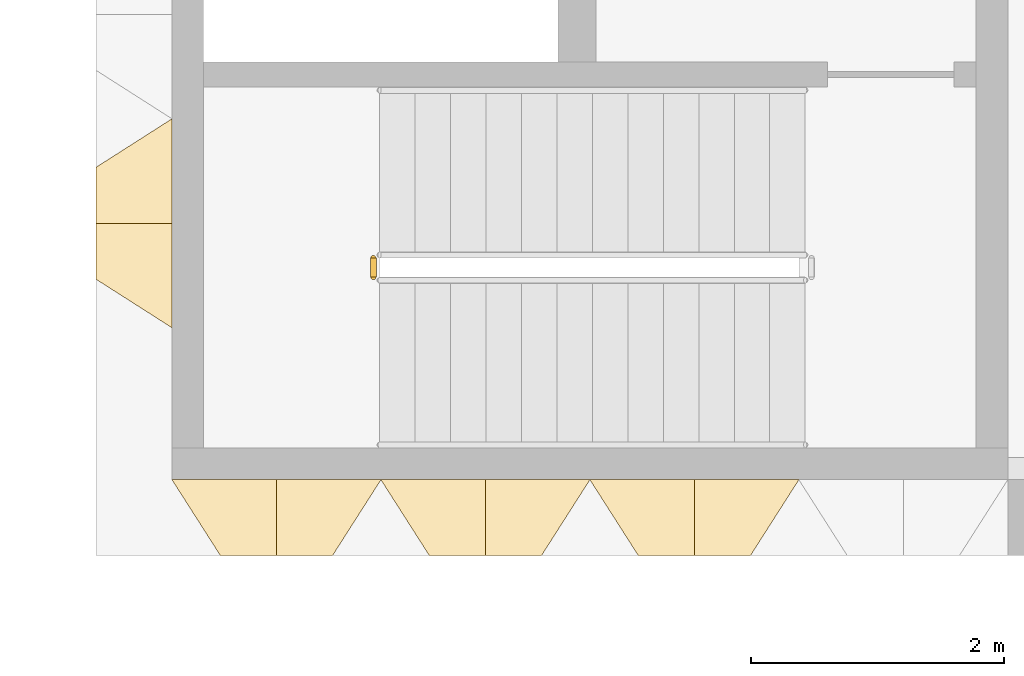
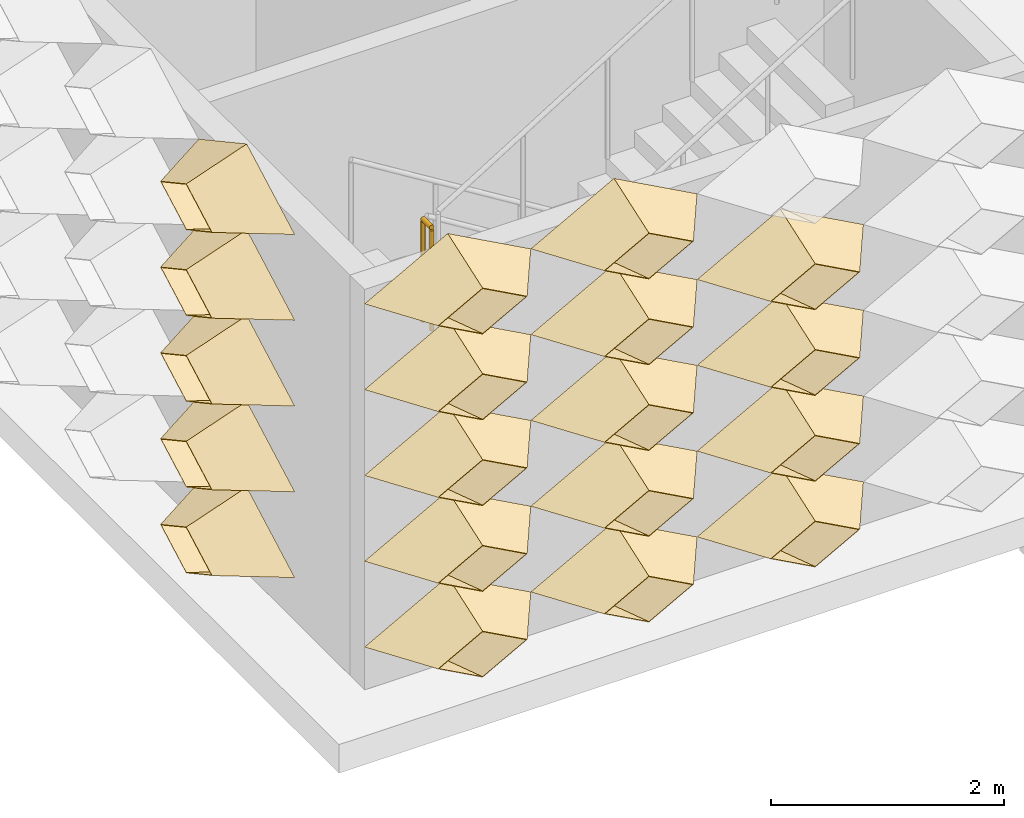
# One storey, part 12 of 29: 19 coverings, 1 railing.
"""IFC4 building model written with IfcOpenShell, lengths in metres."""

from ifc_helpers import new_model, entity, si_unit, direction, frame, origin, origin_2d, place, context, subcontext, project, spatial, circle, extrude, material, layer, layer_set, type_object, element, save


model = new_model("IFC4")

# Units and contexts
model_context = context("Model", 3, precision=1e-05, world=origin(), true_north=direction((0.0, 1.0)))
body_context = subcontext(model_context, "Body", "Model", "MODEL_VIEW")
ifc_project = project(units=[si_unit("LENGTHUNIT", "METRE"), si_unit("AREAUNIT", "SQUARE_METRE"), si_unit("VOLUMEUNIT", "CUBIC_METRE"), si_unit("PLANEANGLEUNIT", "RADIAN"), si_unit("MASSUNIT", "GRAM", prefix="KILO")], contexts=[model_context])

# Site, building, storey
site_placement = place(None, origin())
site = spatial("IfcSite", under=ifc_project, at=site_placement, CompositionType="ELEMENT")
building_placement = place(site_placement, origin())
building = spatial("IfcBuilding", under=site, at=building_placement, Name="Lantern Court Research Institute", CompositionType="ELEMENT")
storey_placement = place(building_placement, frame((0.0, 0.0, 32.39990234375)))
storey = spatial("IfcBuildingStorey", under=building, at=storey_placement, Name="L07", CompositionType="ELEMENT", Elevation=32.39990234375)

# Coverings
ifc_material_1 = material(Name="Anodised aluminium", Category="aluminium")
ifc_layer = layer(ifc_material_1, 0.01611328125)
ifc_layer_set = layer_set([ifc_layer], Name="Anodised aluminium")
covering_type = type_object("IfcCoveringType", Name="Fin cassette 1650 x 900 x 600 aluminium", PredefinedType="CLADDING", material=ifc_layer_set)
covering_1_placement = place(storey_placement, frame((53.625, -7.800048828125, 0.4501953125), z_axis=(0.0, -1.0, 0.0), x_axis=(1.0, 0.0, 0.0)))
cartesian_point_1 = entity("IfcCartesianPoint", [0.824951171875, 0.0])
cartesian_point_2 = entity("IfcCartesianPoint", [0.79150390625, 0.0])
cartesian_point_3 = entity("IfcCartesianPoint", [0.44189453125, 0.0])
cartesian_point_4 = entity("IfcCartesianPoint", [0.43359375, 0.0])
element("IfcCovering", 1, at=covering_1_placement, inside=storey, type_object=covering_type, Name="Fin cassette V5S-L07 1.33", PredefinedType="CLADDING", context=body_context, shape_type="SweptSolid", body=[
    entity("IfcExtrudedAreaSolidTapered", entity("IfcArbitraryProfileDefWithVoids", "AREA", None, entity("IfcPolyline", [cartesian_point_1, entity("IfcCartesianPoint", [0.0, 0.449951171875]), entity("IfcCartesianPoint", [-0.824951171875, 0.0]), entity("IfcCartesianPoint", [0.0, -0.449951171875]), cartesian_point_1]), [entity("IfcPolyline", [cartesian_point_2, entity("IfcCartesianPoint", [0.0, 0.431884765625]), entity("IfcCartesianPoint", [-0.79150390625, 0.0]), entity("IfcCartesianPoint", [0.0, -0.431884765625]), cartesian_point_2])]), entity("IfcAxis2Placement3D", entity("IfcCartesianPoint", [0.0, 0.0, 0.0])), entity("IfcDirection", [0.0, 0.0, 1.0]), 0.60009765625, entity("IfcArbitraryProfileDefWithVoids", "AREA", None, entity("IfcPolyline", [cartesian_point_3, entity("IfcCartesianPoint", [0.0, 0.240966796875]), entity("IfcCartesianPoint", [-0.44189453125, 0.0]), entity("IfcCartesianPoint", [0.0, -0.240966796875]), cartesian_point_3]), [entity("IfcPolyline", [cartesian_point_4, entity("IfcCartesianPoint", [0.0, 0.236572265625]), entity("IfcCartesianPoint", [-0.43359375, 0.0]), entity("IfcCartesianPoint", [0.0, -0.236572265625]), cartesian_point_4])])),
])
covering_2_placement = place(storey_placement, frame((55.27490234375, -7.800048828125, 0.4501953125), z_axis=(0.0, -1.0, 0.0), x_axis=(1.0, 0.0, 0.0)))
cartesian_point_5 = entity("IfcCartesianPoint", [0.824951171875, 0.0])
cartesian_point_6 = entity("IfcCartesianPoint", [0.79150390625, 0.0])
cartesian_point_7 = entity("IfcCartesianPoint", [0.44189453125, 0.0])
cartesian_point_8 = entity("IfcCartesianPoint", [0.43359375, 0.0])
element("IfcCovering", 2, at=covering_2_placement, inside=storey, type_object=covering_type, Name="Fin cassette V5S-L07 1.34", PredefinedType="CLADDING", context=body_context, shape_type="SweptSolid", body=[
    entity("IfcExtrudedAreaSolidTapered", entity("IfcArbitraryProfileDefWithVoids", "AREA", None, entity("IfcPolyline", [cartesian_point_5, entity("IfcCartesianPoint", [0.0, 0.449951171875]), entity("IfcCartesianPoint", [-0.824951171875, 0.0]), entity("IfcCartesianPoint", [0.0, -0.449951171875]), cartesian_point_5]), [entity("IfcPolyline", [cartesian_point_6, entity("IfcCartesianPoint", [0.0, 0.431884765625]), entity("IfcCartesianPoint", [-0.79150390625, 0.0]), entity("IfcCartesianPoint", [0.0, -0.431884765625]), cartesian_point_6])]), entity("IfcAxis2Placement3D", entity("IfcCartesianPoint", [0.0, 0.0, 0.0])), entity("IfcDirection", [0.0, 0.0, 1.0]), 0.60009765625, entity("IfcArbitraryProfileDefWithVoids", "AREA", None, entity("IfcPolyline", [cartesian_point_7, entity("IfcCartesianPoint", [0.0, 0.240966796875]), entity("IfcCartesianPoint", [-0.44189453125, 0.0]), entity("IfcCartesianPoint", [0.0, -0.240966796875]), cartesian_point_7]), [entity("IfcPolyline", [cartesian_point_8, entity("IfcCartesianPoint", [0.0, 0.236572265625]), entity("IfcCartesianPoint", [-0.43359375, 0.0]), entity("IfcCartesianPoint", [0.0, -0.236572265625]), cartesian_point_8])])),
])
covering_3_placement = place(storey_placement, frame((56.925048828125, -7.800048828125, 0.4501953125), z_axis=(0.0, -1.0, 0.0), x_axis=(1.0, 0.0, 0.0)))
cartesian_point_9 = entity("IfcCartesianPoint", [0.824951171875, 0.0])
cartesian_point_10 = entity("IfcCartesianPoint", [0.79150390625, 0.0])
cartesian_point_11 = entity("IfcCartesianPoint", [0.44189453125, 0.0])
cartesian_point_12 = entity("IfcCartesianPoint", [0.43359375, 0.0])
element("IfcCovering", 3, at=covering_3_placement, inside=storey, type_object=covering_type, Name="Fin cassette V5S-L07 1.35", PredefinedType="CLADDING", context=body_context, shape_type="SweptSolid", body=[
    entity("IfcExtrudedAreaSolidTapered", entity("IfcArbitraryProfileDefWithVoids", "AREA", None, entity("IfcPolyline", [cartesian_point_9, entity("IfcCartesianPoint", [0.0, 0.449951171875]), entity("IfcCartesianPoint", [-0.824951171875, 0.0]), entity("IfcCartesianPoint", [0.0, -0.449951171875]), cartesian_point_9]), [entity("IfcPolyline", [cartesian_point_10, entity("IfcCartesianPoint", [0.0, 0.431884765625]), entity("IfcCartesianPoint", [-0.79150390625, 0.0]), entity("IfcCartesianPoint", [0.0, -0.431884765625]), cartesian_point_10])]), entity("IfcAxis2Placement3D", entity("IfcCartesianPoint", [0.0, 0.0, 0.0])), entity("IfcDirection", [0.0, 0.0, 1.0]), 0.60009765625, entity("IfcArbitraryProfileDefWithVoids", "AREA", None, entity("IfcPolyline", [cartesian_point_11, entity("IfcCartesianPoint", [0.0, 0.240966796875]), entity("IfcCartesianPoint", [-0.44189453125, 0.0]), entity("IfcCartesianPoint", [0.0, -0.240966796875]), cartesian_point_11]), [entity("IfcPolyline", [cartesian_point_12, entity("IfcCartesianPoint", [0.0, 0.236572265625]), entity("IfcCartesianPoint", [-0.43359375, 0.0]), entity("IfcCartesianPoint", [0.0, -0.236572265625]), cartesian_point_12])])),
])
covering_4_placement = place(storey_placement, frame((53.625, -7.800048828125, 1.35009765625), z_axis=(0.0, -1.0, 0.0), x_axis=(1.0, 0.0, 0.0)))
cartesian_point_13 = entity("IfcCartesianPoint", [0.824951171875, 0.0])
cartesian_point_14 = entity("IfcCartesianPoint", [0.79150390625, 0.0])
cartesian_point_15 = entity("IfcCartesianPoint", [0.44189453125, 0.0])
cartesian_point_16 = entity("IfcCartesianPoint", [0.43359375, 0.0])
element("IfcCovering", 4, at=covering_4_placement, inside=storey, type_object=covering_type, Name="Fin cassette V5S-L07 2.33", PredefinedType="CLADDING", context=body_context, shape_type="SweptSolid", body=[
    entity("IfcExtrudedAreaSolidTapered", entity("IfcArbitraryProfileDefWithVoids", "AREA", None, entity("IfcPolyline", [cartesian_point_13, entity("IfcCartesianPoint", [0.0, 0.449951171875]), entity("IfcCartesianPoint", [-0.824951171875, 0.0]), entity("IfcCartesianPoint", [0.0, -0.449951171875]), cartesian_point_13]), [entity("IfcPolyline", [cartesian_point_14, entity("IfcCartesianPoint", [0.0, 0.431884765625]), entity("IfcCartesianPoint", [-0.79150390625, 0.0]), entity("IfcCartesianPoint", [0.0, -0.431884765625]), cartesian_point_14])]), entity("IfcAxis2Placement3D", entity("IfcCartesianPoint", [0.0, 0.0, 0.0])), entity("IfcDirection", [0.0, 0.0, 1.0]), 0.60009765625, entity("IfcArbitraryProfileDefWithVoids", "AREA", None, entity("IfcPolyline", [cartesian_point_15, entity("IfcCartesianPoint", [0.0, 0.240966796875]), entity("IfcCartesianPoint", [-0.44189453125, 0.0]), entity("IfcCartesianPoint", [0.0, -0.240966796875]), cartesian_point_15]), [entity("IfcPolyline", [cartesian_point_16, entity("IfcCartesianPoint", [0.0, 0.236572265625]), entity("IfcCartesianPoint", [-0.43359375, 0.0]), entity("IfcCartesianPoint", [0.0, -0.236572265625]), cartesian_point_16])])),
])
covering_5_placement = place(storey_placement, frame((55.27490234375, -7.800048828125, 1.35009765625), z_axis=(0.0, -1.0, 0.0), x_axis=(1.0, 0.0, 0.0)))
cartesian_point_17 = entity("IfcCartesianPoint", [0.824951171875, 0.0])
cartesian_point_18 = entity("IfcCartesianPoint", [0.79150390625, 0.0])
cartesian_point_19 = entity("IfcCartesianPoint", [0.44189453125, 0.0])
cartesian_point_20 = entity("IfcCartesianPoint", [0.43359375, 0.0])
element("IfcCovering", 5, at=covering_5_placement, inside=storey, type_object=covering_type, Name="Fin cassette V5S-L07 2.34", PredefinedType="CLADDING", context=body_context, shape_type="SweptSolid", body=[
    entity("IfcExtrudedAreaSolidTapered", entity("IfcArbitraryProfileDefWithVoids", "AREA", None, entity("IfcPolyline", [cartesian_point_17, entity("IfcCartesianPoint", [0.0, 0.449951171875]), entity("IfcCartesianPoint", [-0.824951171875, 0.0]), entity("IfcCartesianPoint", [0.0, -0.449951171875]), cartesian_point_17]), [entity("IfcPolyline", [cartesian_point_18, entity("IfcCartesianPoint", [0.0, 0.431884765625]), entity("IfcCartesianPoint", [-0.79150390625, 0.0]), entity("IfcCartesianPoint", [0.0, -0.431884765625]), cartesian_point_18])]), entity("IfcAxis2Placement3D", entity("IfcCartesianPoint", [0.0, 0.0, 0.0])), entity("IfcDirection", [0.0, 0.0, 1.0]), 0.60009765625, entity("IfcArbitraryProfileDefWithVoids", "AREA", None, entity("IfcPolyline", [cartesian_point_19, entity("IfcCartesianPoint", [0.0, 0.240966796875]), entity("IfcCartesianPoint", [-0.44189453125, 0.0]), entity("IfcCartesianPoint", [0.0, -0.240966796875]), cartesian_point_19]), [entity("IfcPolyline", [cartesian_point_20, entity("IfcCartesianPoint", [0.0, 0.236572265625]), entity("IfcCartesianPoint", [-0.43359375, 0.0]), entity("IfcCartesianPoint", [0.0, -0.236572265625]), cartesian_point_20])])),
])
covering_6_placement = place(storey_placement, frame((56.925048828125, -7.800048828125, 1.35009765625), z_axis=(0.0, -1.0, 0.0), x_axis=(1.0, 0.0, 0.0)))
cartesian_point_21 = entity("IfcCartesianPoint", [0.824951171875, 0.0])
cartesian_point_22 = entity("IfcCartesianPoint", [0.79150390625, 0.0])
cartesian_point_23 = entity("IfcCartesianPoint", [0.44189453125, 0.0])
cartesian_point_24 = entity("IfcCartesianPoint", [0.43359375, 0.0])
element("IfcCovering", 6, at=covering_6_placement, inside=storey, type_object=covering_type, Name="Fin cassette V5S-L07 2.35", PredefinedType="CLADDING", context=body_context, shape_type="SweptSolid", body=[
    entity("IfcExtrudedAreaSolidTapered", entity("IfcArbitraryProfileDefWithVoids", "AREA", None, entity("IfcPolyline", [cartesian_point_21, entity("IfcCartesianPoint", [0.0, 0.449951171875]), entity("IfcCartesianPoint", [-0.824951171875, 0.0]), entity("IfcCartesianPoint", [0.0, -0.449951171875]), cartesian_point_21]), [entity("IfcPolyline", [cartesian_point_22, entity("IfcCartesianPoint", [0.0, 0.431884765625]), entity("IfcCartesianPoint", [-0.79150390625, 0.0]), entity("IfcCartesianPoint", [0.0, -0.431884765625]), cartesian_point_22])]), entity("IfcAxis2Placement3D", entity("IfcCartesianPoint", [0.0, 0.0, 0.0])), entity("IfcDirection", [0.0, 0.0, 1.0]), 0.60009765625, entity("IfcArbitraryProfileDefWithVoids", "AREA", None, entity("IfcPolyline", [cartesian_point_23, entity("IfcCartesianPoint", [0.0, 0.240966796875]), entity("IfcCartesianPoint", [-0.44189453125, 0.0]), entity("IfcCartesianPoint", [0.0, -0.240966796875]), cartesian_point_23]), [entity("IfcPolyline", [cartesian_point_24, entity("IfcCartesianPoint", [0.0, 0.236572265625]), entity("IfcCartesianPoint", [-0.43359375, 0.0]), entity("IfcCartesianPoint", [0.0, -0.236572265625]), cartesian_point_24])])),
])
covering_7_placement = place(storey_placement, frame((53.625, -7.800048828125, 2.25), z_axis=(0.0, -1.0, 0.0), x_axis=(1.0, 0.0, 0.0)))
cartesian_point_25 = entity("IfcCartesianPoint", [0.824951171875, 0.0])
cartesian_point_26 = entity("IfcCartesianPoint", [0.79150390625, 0.0])
cartesian_point_27 = entity("IfcCartesianPoint", [0.44189453125, 0.0])
cartesian_point_28 = entity("IfcCartesianPoint", [0.43359375, 0.0])
element("IfcCovering", 7, at=covering_7_placement, inside=storey, type_object=covering_type, Name="Fin cassette V5S-L07 3.33", PredefinedType="CLADDING", context=body_context, shape_type="SweptSolid", body=[
    entity("IfcExtrudedAreaSolidTapered", entity("IfcArbitraryProfileDefWithVoids", "AREA", None, entity("IfcPolyline", [cartesian_point_25, entity("IfcCartesianPoint", [0.0, 0.449951171875]), entity("IfcCartesianPoint", [-0.824951171875, 0.0]), entity("IfcCartesianPoint", [0.0, -0.449951171875]), cartesian_point_25]), [entity("IfcPolyline", [cartesian_point_26, entity("IfcCartesianPoint", [0.0, 0.431884765625]), entity("IfcCartesianPoint", [-0.79150390625, 0.0]), entity("IfcCartesianPoint", [0.0, -0.431884765625]), cartesian_point_26])]), entity("IfcAxis2Placement3D", entity("IfcCartesianPoint", [0.0, 0.0, 0.0])), entity("IfcDirection", [0.0, 0.0, 1.0]), 0.60009765625, entity("IfcArbitraryProfileDefWithVoids", "AREA", None, entity("IfcPolyline", [cartesian_point_27, entity("IfcCartesianPoint", [0.0, 0.240966796875]), entity("IfcCartesianPoint", [-0.44189453125, 0.0]), entity("IfcCartesianPoint", [0.0, -0.240966796875]), cartesian_point_27]), [entity("IfcPolyline", [cartesian_point_28, entity("IfcCartesianPoint", [0.0, 0.236572265625]), entity("IfcCartesianPoint", [-0.43359375, 0.0]), entity("IfcCartesianPoint", [0.0, -0.236572265625]), cartesian_point_28])])),
])
covering_8_placement = place(storey_placement, frame((55.27490234375, -7.800048828125, 2.25), z_axis=(0.0, -1.0, 0.0), x_axis=(1.0, 0.0, 0.0)))
cartesian_point_29 = entity("IfcCartesianPoint", [0.824951171875, 0.0])
cartesian_point_30 = entity("IfcCartesianPoint", [0.79150390625, 0.0])
cartesian_point_31 = entity("IfcCartesianPoint", [0.44189453125, 0.0])
cartesian_point_32 = entity("IfcCartesianPoint", [0.43359375, 0.0])
element("IfcCovering", 8, at=covering_8_placement, inside=storey, type_object=covering_type, Name="Fin cassette V5S-L07 3.34", PredefinedType="CLADDING", context=body_context, shape_type="SweptSolid", body=[
    entity("IfcExtrudedAreaSolidTapered", entity("IfcArbitraryProfileDefWithVoids", "AREA", None, entity("IfcPolyline", [cartesian_point_29, entity("IfcCartesianPoint", [0.0, 0.449951171875]), entity("IfcCartesianPoint", [-0.824951171875, 0.0]), entity("IfcCartesianPoint", [0.0, -0.449951171875]), cartesian_point_29]), [entity("IfcPolyline", [cartesian_point_30, entity("IfcCartesianPoint", [0.0, 0.431884765625]), entity("IfcCartesianPoint", [-0.79150390625, 0.0]), entity("IfcCartesianPoint", [0.0, -0.431884765625]), cartesian_point_30])]), entity("IfcAxis2Placement3D", entity("IfcCartesianPoint", [0.0, 0.0, 0.0])), entity("IfcDirection", [0.0, 0.0, 1.0]), 0.60009765625, entity("IfcArbitraryProfileDefWithVoids", "AREA", None, entity("IfcPolyline", [cartesian_point_31, entity("IfcCartesianPoint", [0.0, 0.240966796875]), entity("IfcCartesianPoint", [-0.44189453125, 0.0]), entity("IfcCartesianPoint", [0.0, -0.240966796875]), cartesian_point_31]), [entity("IfcPolyline", [cartesian_point_32, entity("IfcCartesianPoint", [0.0, 0.236572265625]), entity("IfcCartesianPoint", [-0.43359375, 0.0]), entity("IfcCartesianPoint", [0.0, -0.236572265625]), cartesian_point_32])])),
])
covering_9_placement = place(storey_placement, frame((56.925048828125, -7.800048828125, 2.25), z_axis=(0.0, -1.0, 0.0), x_axis=(1.0, 0.0, 0.0)))
cartesian_point_33 = entity("IfcCartesianPoint", [0.824951171875, 0.0])
cartesian_point_34 = entity("IfcCartesianPoint", [0.79150390625, 0.0])
cartesian_point_35 = entity("IfcCartesianPoint", [0.44189453125, 0.0])
cartesian_point_36 = entity("IfcCartesianPoint", [0.43359375, 0.0])
element("IfcCovering", 9, at=covering_9_placement, inside=storey, type_object=covering_type, Name="Fin cassette V5S-L07 3.35", PredefinedType="CLADDING", context=body_context, shape_type="SweptSolid", body=[
    entity("IfcExtrudedAreaSolidTapered", entity("IfcArbitraryProfileDefWithVoids", "AREA", None, entity("IfcPolyline", [cartesian_point_33, entity("IfcCartesianPoint", [0.0, 0.449951171875]), entity("IfcCartesianPoint", [-0.824951171875, 0.0]), entity("IfcCartesianPoint", [0.0, -0.449951171875]), cartesian_point_33]), [entity("IfcPolyline", [cartesian_point_34, entity("IfcCartesianPoint", [0.0, 0.431884765625]), entity("IfcCartesianPoint", [-0.79150390625, 0.0]), entity("IfcCartesianPoint", [0.0, -0.431884765625]), cartesian_point_34])]), entity("IfcAxis2Placement3D", entity("IfcCartesianPoint", [0.0, 0.0, 0.0])), entity("IfcDirection", [0.0, 0.0, 1.0]), 0.60009765625, entity("IfcArbitraryProfileDefWithVoids", "AREA", None, entity("IfcPolyline", [cartesian_point_35, entity("IfcCartesianPoint", [0.0, 0.240966796875]), entity("IfcCartesianPoint", [-0.44189453125, 0.0]), entity("IfcCartesianPoint", [0.0, -0.240966796875]), cartesian_point_35]), [entity("IfcPolyline", [cartesian_point_36, entity("IfcCartesianPoint", [0.0, 0.236572265625]), entity("IfcCartesianPoint", [-0.43359375, 0.0]), entity("IfcCartesianPoint", [0.0, -0.236572265625]), cartesian_point_36])])),
])
covering_10_placement = place(storey_placement, frame((53.625, -7.800048828125, 3.150146484375), z_axis=(0.0, -1.0, 0.0), x_axis=(1.0, 0.0, 0.0)))
cartesian_point_37 = entity("IfcCartesianPoint", [0.824951171875, 0.0])
cartesian_point_38 = entity("IfcCartesianPoint", [0.79150390625, 0.0])
cartesian_point_39 = entity("IfcCartesianPoint", [0.44189453125, 0.0])
cartesian_point_40 = entity("IfcCartesianPoint", [0.43359375, 0.0])
element("IfcCovering", 10, at=covering_10_placement, inside=storey, type_object=covering_type, Name="Fin cassette V5S-L07 4.33", PredefinedType="CLADDING", context=body_context, shape_type="SweptSolid", body=[
    entity("IfcExtrudedAreaSolidTapered", entity("IfcArbitraryProfileDefWithVoids", "AREA", None, entity("IfcPolyline", [cartesian_point_37, entity("IfcCartesianPoint", [0.0, 0.449951171875]), entity("IfcCartesianPoint", [-0.824951171875, 0.0]), entity("IfcCartesianPoint", [0.0, -0.449951171875]), cartesian_point_37]), [entity("IfcPolyline", [cartesian_point_38, entity("IfcCartesianPoint", [0.0, 0.431884765625]), entity("IfcCartesianPoint", [-0.79150390625, 0.0]), entity("IfcCartesianPoint", [0.0, -0.431884765625]), cartesian_point_38])]), entity("IfcAxis2Placement3D", entity("IfcCartesianPoint", [0.0, 0.0, 0.0])), entity("IfcDirection", [0.0, 0.0, 1.0]), 0.60009765625, entity("IfcArbitraryProfileDefWithVoids", "AREA", None, entity("IfcPolyline", [cartesian_point_39, entity("IfcCartesianPoint", [0.0, 0.240966796875]), entity("IfcCartesianPoint", [-0.44189453125, 0.0]), entity("IfcCartesianPoint", [0.0, -0.240966796875]), cartesian_point_39]), [entity("IfcPolyline", [cartesian_point_40, entity("IfcCartesianPoint", [0.0, 0.236572265625]), entity("IfcCartesianPoint", [-0.43359375, 0.0]), entity("IfcCartesianPoint", [0.0, -0.236572265625]), cartesian_point_40])])),
])
covering_11_placement = place(storey_placement, frame((55.27490234375, -7.800048828125, 3.150146484375), z_axis=(0.0, -1.0, 0.0), x_axis=(1.0, 0.0, 0.0)))
cartesian_point_41 = entity("IfcCartesianPoint", [0.824951171875, 0.0])
cartesian_point_42 = entity("IfcCartesianPoint", [0.79150390625, 0.0])
cartesian_point_43 = entity("IfcCartesianPoint", [0.44189453125, 0.0])
cartesian_point_44 = entity("IfcCartesianPoint", [0.43359375, 0.0])
element("IfcCovering", 11, at=covering_11_placement, inside=storey, type_object=covering_type, Name="Fin cassette V5S-L07 4.34", PredefinedType="CLADDING", context=body_context, shape_type="SweptSolid", body=[
    entity("IfcExtrudedAreaSolidTapered", entity("IfcArbitraryProfileDefWithVoids", "AREA", None, entity("IfcPolyline", [cartesian_point_41, entity("IfcCartesianPoint", [0.0, 0.449951171875]), entity("IfcCartesianPoint", [-0.824951171875, 0.0]), entity("IfcCartesianPoint", [0.0, -0.449951171875]), cartesian_point_41]), [entity("IfcPolyline", [cartesian_point_42, entity("IfcCartesianPoint", [0.0, 0.431884765625]), entity("IfcCartesianPoint", [-0.79150390625, 0.0]), entity("IfcCartesianPoint", [0.0, -0.431884765625]), cartesian_point_42])]), entity("IfcAxis2Placement3D", entity("IfcCartesianPoint", [0.0, 0.0, 0.0])), entity("IfcDirection", [0.0, 0.0, 1.0]), 0.60009765625, entity("IfcArbitraryProfileDefWithVoids", "AREA", None, entity("IfcPolyline", [cartesian_point_43, entity("IfcCartesianPoint", [0.0, 0.240966796875]), entity("IfcCartesianPoint", [-0.44189453125, 0.0]), entity("IfcCartesianPoint", [0.0, -0.240966796875]), cartesian_point_43]), [entity("IfcPolyline", [cartesian_point_44, entity("IfcCartesianPoint", [0.0, 0.236572265625]), entity("IfcCartesianPoint", [-0.43359375, 0.0]), entity("IfcCartesianPoint", [0.0, -0.236572265625]), cartesian_point_44])])),
])
covering_12_placement = place(storey_placement, frame((56.925048828125, -7.800048828125, 3.150146484375), z_axis=(0.0, -1.0, 0.0), x_axis=(1.0, 0.0, 0.0)))
cartesian_point_45 = entity("IfcCartesianPoint", [0.824951171875, 0.0])
cartesian_point_46 = entity("IfcCartesianPoint", [0.79150390625, 0.0])
cartesian_point_47 = entity("IfcCartesianPoint", [0.44189453125, 0.0])
cartesian_point_48 = entity("IfcCartesianPoint", [0.43359375, 0.0])
element("IfcCovering", 12, at=covering_12_placement, inside=storey, type_object=covering_type, Name="Fin cassette V5S-L07 4.35", PredefinedType="CLADDING", context=body_context, shape_type="SweptSolid", body=[
    entity("IfcExtrudedAreaSolidTapered", entity("IfcArbitraryProfileDefWithVoids", "AREA", None, entity("IfcPolyline", [cartesian_point_45, entity("IfcCartesianPoint", [0.0, 0.449951171875]), entity("IfcCartesianPoint", [-0.824951171875, 0.0]), entity("IfcCartesianPoint", [0.0, -0.449951171875]), cartesian_point_45]), [entity("IfcPolyline", [cartesian_point_46, entity("IfcCartesianPoint", [0.0, 0.431884765625]), entity("IfcCartesianPoint", [-0.79150390625, 0.0]), entity("IfcCartesianPoint", [0.0, -0.431884765625]), cartesian_point_46])]), entity("IfcAxis2Placement3D", entity("IfcCartesianPoint", [0.0, 0.0, 0.0])), entity("IfcDirection", [0.0, 0.0, 1.0]), 0.60009765625, entity("IfcArbitraryProfileDefWithVoids", "AREA", None, entity("IfcPolyline", [cartesian_point_47, entity("IfcCartesianPoint", [0.0, 0.240966796875]), entity("IfcCartesianPoint", [-0.44189453125, 0.0]), entity("IfcCartesianPoint", [0.0, -0.240966796875]), cartesian_point_47]), [entity("IfcPolyline", [cartesian_point_48, entity("IfcCartesianPoint", [0.0, 0.236572265625]), entity("IfcCartesianPoint", [-0.43359375, 0.0]), entity("IfcCartesianPoint", [0.0, -0.236572265625]), cartesian_point_48])])),
])
covering_13_placement = place(storey_placement, frame((53.625, -7.800048828125, 4.050048828125), z_axis=(0.0, -1.0, 0.0), x_axis=(1.0, 0.0, 0.0)))
cartesian_point_49 = entity("IfcCartesianPoint", [0.824951171875, 0.0])
cartesian_point_50 = entity("IfcCartesianPoint", [0.79150390625, 0.0])
cartesian_point_51 = entity("IfcCartesianPoint", [0.44189453125, 0.0])
cartesian_point_52 = entity("IfcCartesianPoint", [0.43359375, 0.0])
element("IfcCovering", 13, at=covering_13_placement, inside=storey, type_object=covering_type, Name="Fin cassette V5S-L07 5.33", PredefinedType="CLADDING", context=body_context, shape_type="SweptSolid", body=[
    entity("IfcExtrudedAreaSolidTapered", entity("IfcArbitraryProfileDefWithVoids", "AREA", None, entity("IfcPolyline", [cartesian_point_49, entity("IfcCartesianPoint", [0.0, 0.449951171875]), entity("IfcCartesianPoint", [-0.824951171875, 0.0]), entity("IfcCartesianPoint", [0.0, -0.449951171875]), cartesian_point_49]), [entity("IfcPolyline", [cartesian_point_50, entity("IfcCartesianPoint", [0.0, 0.431884765625]), entity("IfcCartesianPoint", [-0.79150390625, 0.0]), entity("IfcCartesianPoint", [0.0, -0.431884765625]), cartesian_point_50])]), entity("IfcAxis2Placement3D", entity("IfcCartesianPoint", [0.0, 0.0, 0.0])), entity("IfcDirection", [0.0, 0.0, 1.0]), 0.60009765625, entity("IfcArbitraryProfileDefWithVoids", "AREA", None, entity("IfcPolyline", [cartesian_point_51, entity("IfcCartesianPoint", [0.0, 0.240966796875]), entity("IfcCartesianPoint", [-0.44189453125, 0.0]), entity("IfcCartesianPoint", [0.0, -0.240966796875]), cartesian_point_51]), [entity("IfcPolyline", [cartesian_point_52, entity("IfcCartesianPoint", [0.0, 0.236572265625]), entity("IfcCartesianPoint", [-0.43359375, 0.0]), entity("IfcCartesianPoint", [0.0, -0.236572265625]), cartesian_point_52])])),
])
covering_14_placement = place(storey_placement, frame((55.27490234375, -7.800048828125, 4.050048828125), z_axis=(0.0, -1.0, 0.0), x_axis=(1.0, 0.0, 0.0)))
cartesian_point_53 = entity("IfcCartesianPoint", [0.824951171875, 0.0])
cartesian_point_54 = entity("IfcCartesianPoint", [0.79150390625, 0.0])
cartesian_point_55 = entity("IfcCartesianPoint", [0.44189453125, 0.0])
cartesian_point_56 = entity("IfcCartesianPoint", [0.43359375, 0.0])
element("IfcCovering", 14, at=covering_14_placement, inside=storey, type_object=covering_type, Name="Fin cassette V5S-L07 5.34", PredefinedType="CLADDING", context=body_context, shape_type="SweptSolid", body=[
    entity("IfcExtrudedAreaSolidTapered", entity("IfcArbitraryProfileDefWithVoids", "AREA", None, entity("IfcPolyline", [cartesian_point_53, entity("IfcCartesianPoint", [0.0, 0.449951171875]), entity("IfcCartesianPoint", [-0.824951171875, 0.0]), entity("IfcCartesianPoint", [0.0, -0.449951171875]), cartesian_point_53]), [entity("IfcPolyline", [cartesian_point_54, entity("IfcCartesianPoint", [0.0, 0.431884765625]), entity("IfcCartesianPoint", [-0.79150390625, 0.0]), entity("IfcCartesianPoint", [0.0, -0.431884765625]), cartesian_point_54])]), entity("IfcAxis2Placement3D", entity("IfcCartesianPoint", [0.0, 0.0, 0.0])), entity("IfcDirection", [0.0, 0.0, 1.0]), 0.60009765625, entity("IfcArbitraryProfileDefWithVoids", "AREA", None, entity("IfcPolyline", [cartesian_point_55, entity("IfcCartesianPoint", [0.0, 0.240966796875]), entity("IfcCartesianPoint", [-0.44189453125, 0.0]), entity("IfcCartesianPoint", [0.0, -0.240966796875]), cartesian_point_55]), [entity("IfcPolyline", [cartesian_point_56, entity("IfcCartesianPoint", [0.0, 0.236572265625]), entity("IfcCartesianPoint", [-0.43359375, 0.0]), entity("IfcCartesianPoint", [0.0, -0.236572265625]), cartesian_point_56])])),
])
covering_15_placement = place(storey_placement, frame((52.800048828125, -5.77490234375, 0.4501953125), z_axis=(-1.0, 0.0, 0.0), x_axis=(0.0, -1.0, 0.0)))
cartesian_point_57 = entity("IfcCartesianPoint", [0.824951171875, 0.0])
cartesian_point_58 = entity("IfcCartesianPoint", [0.79150390625, 0.0])
cartesian_point_59 = entity("IfcCartesianPoint", [0.44189453125, 0.0])
cartesian_point_60 = entity("IfcCartesianPoint", [0.43359375, 0.0])
element("IfcCovering", 15, at=covering_15_placement, inside=storey, type_object=covering_type, Name="Fin cassette V5W-L07 1.-3", PredefinedType="CLADDING", context=body_context, shape_type="SweptSolid", body=[
    entity("IfcExtrudedAreaSolidTapered", entity("IfcArbitraryProfileDefWithVoids", "AREA", None, entity("IfcPolyline", [cartesian_point_57, entity("IfcCartesianPoint", [0.0, 0.449951171875]), entity("IfcCartesianPoint", [-0.824951171875, 0.0]), entity("IfcCartesianPoint", [0.0, -0.449951171875]), cartesian_point_57]), [entity("IfcPolyline", [cartesian_point_58, entity("IfcCartesianPoint", [0.0, 0.431884765625]), entity("IfcCartesianPoint", [-0.79150390625, 0.0]), entity("IfcCartesianPoint", [0.0, -0.431884765625]), cartesian_point_58])]), entity("IfcAxis2Placement3D", entity("IfcCartesianPoint", [0.0, 0.0, 0.0])), entity("IfcDirection", [0.0, 0.0, 1.0]), 0.60009765625, entity("IfcArbitraryProfileDefWithVoids", "AREA", None, entity("IfcPolyline", [cartesian_point_59, entity("IfcCartesianPoint", [0.0, 0.240966796875]), entity("IfcCartesianPoint", [-0.44189453125, 0.0]), entity("IfcCartesianPoint", [0.0, -0.240966796875]), cartesian_point_59]), [entity("IfcPolyline", [cartesian_point_60, entity("IfcCartesianPoint", [0.0, 0.236572265625]), entity("IfcCartesianPoint", [-0.43359375, 0.0]), entity("IfcCartesianPoint", [0.0, -0.236572265625]), cartesian_point_60])])),
])
covering_16_placement = place(storey_placement, frame((52.800048828125, -5.77490234375, 1.35009765625), z_axis=(-1.0, 0.0, 0.0), x_axis=(0.0, -1.0, 0.0)))
cartesian_point_61 = entity("IfcCartesianPoint", [0.824951171875, 0.0])
cartesian_point_62 = entity("IfcCartesianPoint", [0.79150390625, 0.0])
cartesian_point_63 = entity("IfcCartesianPoint", [0.44189453125, 0.0])
cartesian_point_64 = entity("IfcCartesianPoint", [0.43359375, 0.0])
element("IfcCovering", 16, at=covering_16_placement, inside=storey, type_object=covering_type, Name="Fin cassette V5W-L07 2.-3", PredefinedType="CLADDING", context=body_context, shape_type="SweptSolid", body=[
    entity("IfcExtrudedAreaSolidTapered", entity("IfcArbitraryProfileDefWithVoids", "AREA", None, entity("IfcPolyline", [cartesian_point_61, entity("IfcCartesianPoint", [0.0, 0.449951171875]), entity("IfcCartesianPoint", [-0.824951171875, 0.0]), entity("IfcCartesianPoint", [0.0, -0.449951171875]), cartesian_point_61]), [entity("IfcPolyline", [cartesian_point_62, entity("IfcCartesianPoint", [0.0, 0.431884765625]), entity("IfcCartesianPoint", [-0.79150390625, 0.0]), entity("IfcCartesianPoint", [0.0, -0.431884765625]), cartesian_point_62])]), entity("IfcAxis2Placement3D", entity("IfcCartesianPoint", [0.0, 0.0, 0.0])), entity("IfcDirection", [0.0, 0.0, 1.0]), 0.60009765625, entity("IfcArbitraryProfileDefWithVoids", "AREA", None, entity("IfcPolyline", [cartesian_point_63, entity("IfcCartesianPoint", [0.0, 0.240966796875]), entity("IfcCartesianPoint", [-0.44189453125, 0.0]), entity("IfcCartesianPoint", [0.0, -0.240966796875]), cartesian_point_63]), [entity("IfcPolyline", [cartesian_point_64, entity("IfcCartesianPoint", [0.0, 0.236572265625]), entity("IfcCartesianPoint", [-0.43359375, 0.0]), entity("IfcCartesianPoint", [0.0, -0.236572265625]), cartesian_point_64])])),
])
covering_17_placement = place(storey_placement, frame((52.800048828125, -5.77490234375, 2.25), z_axis=(-1.0, 0.0, 0.0), x_axis=(0.0, -1.0, 0.0)))
cartesian_point_65 = entity("IfcCartesianPoint", [0.824951171875, 0.0])
cartesian_point_66 = entity("IfcCartesianPoint", [0.79150390625, 0.0])
cartesian_point_67 = entity("IfcCartesianPoint", [0.44189453125, 0.0])
cartesian_point_68 = entity("IfcCartesianPoint", [0.43359375, 0.0])
element("IfcCovering", 17, at=covering_17_placement, inside=storey, type_object=covering_type, Name="Fin cassette V5W-L07 3.-3", PredefinedType="CLADDING", context=body_context, shape_type="SweptSolid", body=[
    entity("IfcExtrudedAreaSolidTapered", entity("IfcArbitraryProfileDefWithVoids", "AREA", None, entity("IfcPolyline", [cartesian_point_65, entity("IfcCartesianPoint", [0.0, 0.449951171875]), entity("IfcCartesianPoint", [-0.824951171875, 0.0]), entity("IfcCartesianPoint", [0.0, -0.449951171875]), cartesian_point_65]), [entity("IfcPolyline", [cartesian_point_66, entity("IfcCartesianPoint", [0.0, 0.431884765625]), entity("IfcCartesianPoint", [-0.79150390625, 0.0]), entity("IfcCartesianPoint", [0.0, -0.431884765625]), cartesian_point_66])]), entity("IfcAxis2Placement3D", entity("IfcCartesianPoint", [0.0, 0.0, 0.0])), entity("IfcDirection", [0.0, 0.0, 1.0]), 0.60009765625, entity("IfcArbitraryProfileDefWithVoids", "AREA", None, entity("IfcPolyline", [cartesian_point_67, entity("IfcCartesianPoint", [0.0, 0.240966796875]), entity("IfcCartesianPoint", [-0.44189453125, 0.0]), entity("IfcCartesianPoint", [0.0, -0.240966796875]), cartesian_point_67]), [entity("IfcPolyline", [cartesian_point_68, entity("IfcCartesianPoint", [0.0, 0.236572265625]), entity("IfcCartesianPoint", [-0.43359375, 0.0]), entity("IfcCartesianPoint", [0.0, -0.236572265625]), cartesian_point_68])])),
])
covering_18_placement = place(storey_placement, frame((52.800048828125, -5.77490234375, 3.150146484375), z_axis=(-1.0, 0.0, 0.0), x_axis=(0.0, -1.0, 0.0)))
cartesian_point_69 = entity("IfcCartesianPoint", [0.824951171875, 0.0])
cartesian_point_70 = entity("IfcCartesianPoint", [0.79150390625, 0.0])
cartesian_point_71 = entity("IfcCartesianPoint", [0.44189453125, 0.0])
cartesian_point_72 = entity("IfcCartesianPoint", [0.43359375, 0.0])
element("IfcCovering", 18, at=covering_18_placement, inside=storey, type_object=covering_type, Name="Fin cassette V5W-L07 4.-3", PredefinedType="CLADDING", context=body_context, shape_type="SweptSolid", body=[
    entity("IfcExtrudedAreaSolidTapered", entity("IfcArbitraryProfileDefWithVoids", "AREA", None, entity("IfcPolyline", [cartesian_point_69, entity("IfcCartesianPoint", [0.0, 0.449951171875]), entity("IfcCartesianPoint", [-0.824951171875, 0.0]), entity("IfcCartesianPoint", [0.0, -0.449951171875]), cartesian_point_69]), [entity("IfcPolyline", [cartesian_point_70, entity("IfcCartesianPoint", [0.0, 0.431884765625]), entity("IfcCartesianPoint", [-0.79150390625, 0.0]), entity("IfcCartesianPoint", [0.0, -0.431884765625]), cartesian_point_70])]), entity("IfcAxis2Placement3D", entity("IfcCartesianPoint", [0.0, 0.0, 0.0])), entity("IfcDirection", [0.0, 0.0, 1.0]), 0.60009765625, entity("IfcArbitraryProfileDefWithVoids", "AREA", None, entity("IfcPolyline", [cartesian_point_71, entity("IfcCartesianPoint", [0.0, 0.240966796875]), entity("IfcCartesianPoint", [-0.44189453125, 0.0]), entity("IfcCartesianPoint", [0.0, -0.240966796875]), cartesian_point_71]), [entity("IfcPolyline", [cartesian_point_72, entity("IfcCartesianPoint", [0.0, 0.236572265625]), entity("IfcCartesianPoint", [-0.43359375, 0.0]), entity("IfcCartesianPoint", [0.0, -0.236572265625]), cartesian_point_72])])),
])
covering_19_placement = place(storey_placement, frame((52.800048828125, -5.77490234375, 4.050048828125), z_axis=(-1.0, 0.0, 0.0), x_axis=(0.0, -1.0, 0.0)))
cartesian_point_73 = entity("IfcCartesianPoint", [0.824951171875, 0.0])
cartesian_point_74 = entity("IfcCartesianPoint", [0.79150390625, 0.0])
cartesian_point_75 = entity("IfcCartesianPoint", [0.44189453125, 0.0])
cartesian_point_76 = entity("IfcCartesianPoint", [0.43359375, 0.0])
element("IfcCovering", 19, at=covering_19_placement, inside=storey, type_object=covering_type, Name="Fin cassette V5W-L07 5.-3", PredefinedType="CLADDING", context=body_context, shape_type="SweptSolid", body=[
    entity("IfcExtrudedAreaSolidTapered", entity("IfcArbitraryProfileDefWithVoids", "AREA", None, entity("IfcPolyline", [cartesian_point_73, entity("IfcCartesianPoint", [0.0, 0.449951171875]), entity("IfcCartesianPoint", [-0.824951171875, 0.0]), entity("IfcCartesianPoint", [0.0, -0.449951171875]), cartesian_point_73]), [entity("IfcPolyline", [cartesian_point_74, entity("IfcCartesianPoint", [0.0, 0.431884765625]), entity("IfcCartesianPoint", [-0.79150390625, 0.0]), entity("IfcCartesianPoint", [0.0, -0.431884765625]), cartesian_point_74])]), entity("IfcAxis2Placement3D", entity("IfcCartesianPoint", [0.0, 0.0, 0.0])), entity("IfcDirection", [0.0, 0.0, 1.0]), 0.60009765625, entity("IfcArbitraryProfileDefWithVoids", "AREA", None, entity("IfcPolyline", [cartesian_point_75, entity("IfcCartesianPoint", [0.0, 0.240966796875]), entity("IfcCartesianPoint", [-0.44189453125, 0.0]), entity("IfcCartesianPoint", [0.0, -0.240966796875]), cartesian_point_75]), [entity("IfcPolyline", [cartesian_point_76, entity("IfcCartesianPoint", [0.0, 0.236572265625]), entity("IfcCartesianPoint", [-0.43359375, 0.0]), entity("IfcCartesianPoint", [0.0, -0.236572265625]), cartesian_point_76])])),
])

# Railing
ifc_material_2 = material(Name="Structural steel S355", Category="steel")
railing_type = type_object("IfcRailingType", Name="Stair guard 1100 steel", PredefinedType="GUARDRAIL", material=ifc_material_2)
railing_placement = place(storey_placement, frame((54.389892578125, -6.050048828125, 2.25)))
element("IfcRailing", 20, at=railing_placement, inside=storey, type_object=railing_type, Name="L07 ST-T1 stair guard 2", PredefinedType="GUARDRAIL", context=body_context, shape_type="SweptSolid", body=[
    extrude(circle(Radius=0.02392578125, at=origin_2d()), frame((0.0, 0.0, 1.076171875), z_axis=(0.0, -1.0, 0.0), x_axis=(1.0, 0.0, 0.0)), (0.0, 0.0, 1.0), 0.14990234375),
    extrude(circle(Radius=0.02099609375, at=origin_2d()), origin(), (0.0, 0.0, 1.0), 1.052001953125),
    extrude(circle(Radius=0.02099609375, at=origin_2d()), frame((0.0, -0.14990234375, 0.0)), (0.0, 0.0, 1.0), 1.052001953125),
])

save(model, "model.ifc")
